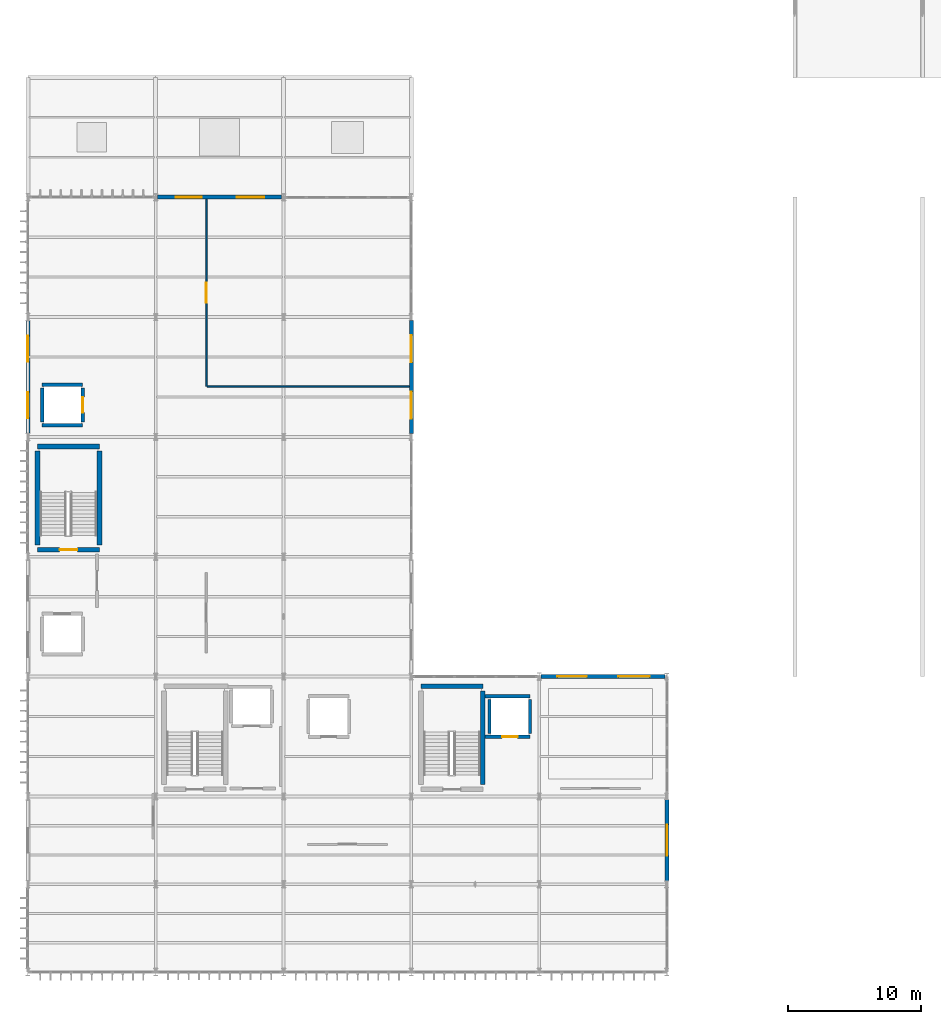
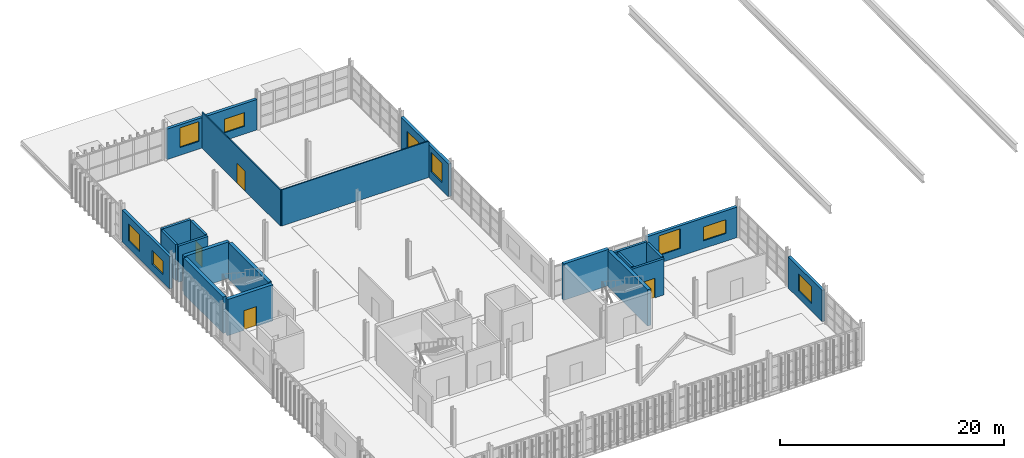
# One storey, part 32 of 52: 21 walls, 9 windows, 4 doors, 13 openings.
"""IFC4 building model written with IfcOpenShell, lengths in metres."""

from ifc_helpers import new_model, si_unit, direction, frame, frame_2d, origin, place, context, subcontext, project, spatial, rectangle, extrude, material, layer, layer_set, type_object, element, fill, save


model = new_model("IFC4")

# Units and contexts
model_context = context("Model", 3, precision=1e-05, world=origin(), true_north=direction((0.0, 1.0)))
body_context = subcontext(model_context, "Body", "Model", "MODEL_VIEW")
ifc_project = project(units=[si_unit("LENGTHUNIT", "METRE"), si_unit("AREAUNIT", "SQUARE_METRE"), si_unit("VOLUMEUNIT", "CUBIC_METRE"), si_unit("PLANEANGLEUNIT", "RADIAN"), si_unit("MASSUNIT", "GRAM", prefix="KILO")], contexts=[model_context])

# Site, building, storey
site_placement = place(None, origin())
site = spatial("IfcSite", under=ifc_project, at=site_placement, CompositionType="ELEMENT")
building_placement = place(site_placement, origin())
building = spatial("IfcBuilding", under=site, at=building_placement, Name="Zarnetskaya Central Station", CompositionType="ELEMENT")
storey_placement = place(building_placement, frame((0.0, 0.0, 14.39990234375)))
storey = spatial("IfcBuildingStorey", under=building, at=storey_placement, Name="L03", CompositionType="ELEMENT", Elevation=14.39990234375)

# Wall, opening, door
ifc_material_1 = material(Name="Gypsum moisture partition")
ifc_layer_1 = layer(ifc_material_1, 0.114990234375, Name="Gypsum moisture partition")
ifc_layer_set_1 = layer_set([ifc_layer_1], Name="Gypsum moisture partition")
wall_type_1 = type_object("IfcWallType", Name="PART-WC-115", PredefinedType="PARTITIONING", material=ifc_layer_set_1)
wall_1_placement = place(storey_placement, frame((13.39990234375, 44.0, 0.0), z_axis=(0.0, 0.0, 1.0), x_axis=(0.0, 1.0, 0.0)))
wall_1 = element("IfcWall", 1, at=wall_1_placement, inside=storey, type_object=wall_type_1, Name="Interior partition IPRT-L03-0432", PredefinedType="PARTITIONING", context=body_context, shape_type="SweptSolid", body=[
    extrude(rectangle(XDim=14.050048828125, YDim=0.114990234375, at=frame_2d((7.02490234375, 0.0))), origin(), (0.0, 0.0, 1.0), 3.960205078125),
])
opening_1_placement = place(wall_1_placement, frame((6.27490234375, 0.0, 0.0)))
opening_1 = element("IfcOpeningElement", 2, at=opening_1_placement, cuts=wall_1, Name="Opening DR-15", PredefinedType="OPENING", context=body_context, shape_type="SweptSolid", body=[
    extrude(rectangle(XDim=1.5, YDim=2.199951171875, at=frame_2d((0.75, 1.10009765625))), frame((0.0, 0.0673828125, 0.0), z_axis=(0.0, -1.0, 0.0), x_axis=(1.0, 0.0, 0.0)), (0.0, 0.0, 1.0), 0.135009765625),
])
ifc_material_2 = material(Name="Anodised aluminium", Category="aluminium")
door_type_1 = type_object("IfcDoorType", Name="DR-INT-14", OperationType="NOTDEFINED", PredefinedType="DOOR", material=ifc_material_2)
door_1_placement = place(opening_1_placement, origin())
door_1 = element("IfcDoor", 3, at=door_1_placement, inside=storey, type_object=door_type_1, Name="Staff and Accessible WC and Shower Suite L03 door", OperationType="SINGLE_SWING_RIGHT", OverallHeight=2.199951171875, OverallWidth=1.5, PredefinedType="DOOR", context=body_context, shape_type="SweptSolid", body=[
    extrude(rectangle(XDim=1.5, YDim=2.199951171875, at=frame_2d((0.75, 1.10009765625))), frame((0.0, 0.02490234375, 0.0), z_axis=(0.0, -1.0, 0.0), x_axis=(1.0, 0.0, 0.0)), (0.0, 0.0, 1.0), 0.050048828125),
])
fill(opening_1, door_1)

# Wall
wall_2_placement = place(storey_placement, frame((28.64990234375, 44.0, 0.0), z_axis=(0.0, 0.0, 1.0), x_axis=(-1.0, 0.0, 0.0)))
element("IfcWall", 4, at=wall_2_placement, inside=storey, type_object=wall_type_1, Name="Interior partition IPRT-L03-0433", PredefinedType="PARTITIONING", context=body_context, shape_type="SweptSolid", body=[
    extrude(rectangle(XDim=15.1923828125, YDim=0.114990234375, at=frame_2d((7.59619140625, 0.0))), origin(), (0.0, 0.0, 1.0), 3.960205078125),
])

# Wall, opening, door
ifc_material_3 = material(Name="Concrete C35/45", Category="concrete")
ifc_layer_2 = layer(ifc_material_3, 0.35009765625, Name="Concrete C35/45", Category="concrete")
ifc_layer_set_2 = layer_set([ifc_layer_2], Name="Concrete C35/45")
wall_type_2 = type_object("IfcWallType", Name="WALL-CORE-350", PredefinedType="SHEAR", material=ifc_layer_set_2)
wall_3_placement = place(storey_placement, frame((5.375, 31.72509765625, 0.0), z_axis=(0.0, 0.0, 1.0), x_axis=(-1.0, 0.0, 0.0)))
wall_3 = element("IfcWall", 5, at=wall_3_placement, inside=storey, type_object=wall_type_2, Name="Core shear wall WSTR-L03-0233", PredefinedType="SHEAR", context=body_context, shape_type="SweptSolid", body=[
    extrude(rectangle(XDim=4.64990234375, YDim=0.35009765625, at=frame_2d((2.324951171875, 0.0))), origin(), (0.0, 0.0, 1.0), 3.960205078125),
])
opening_2_placement = place(wall_3_placement, frame((1.6650390625, 0.0, 0.0)))
opening_2 = element("IfcOpeningElement", 6, at=opening_2_placement, cuts=wall_3, Name="Opening DR-FD60", PredefinedType="OPENING", context=body_context, shape_type="SweptSolid", body=[
    extrude(rectangle(XDim=1.320068359375, YDim=2.14990234375, at=frame_2d((0.66015625, 1.074951171875))), frame((0.0, 0.18505859375, 0.0), z_axis=(0.0, -1.0, 0.0), x_axis=(1.0, 0.0, 0.0)), (0.0, 0.0, 1.0), 0.3701171875),
])
door_type_2 = type_object("IfcDoorType", Name="DR-FIRE-STAIR", OperationType="NOTDEFINED", PredefinedType="DOOR", material=ifc_material_2)
door_2_placement = place(opening_2_placement, origin())
door_2 = element("IfcDoor", 7, at=door_2_placement, inside=storey, type_object=door_type_2, Name="Protected exit stair door ST-C2 L03", OperationType="SINGLE_SWING_RIGHT", OverallHeight=2.14990234375, OverallWidth=1.320068359375, PredefinedType="DOOR", context=body_context, shape_type="SweptSolid", body=[
    extrude(rectangle(XDim=1.320068359375, YDim=2.14990234375, at=frame_2d((0.66015625, 1.074951171875))), frame((0.0, 0.02490234375, 0.0), z_axis=(0.0, -1.0, 0.0), x_axis=(1.0, 0.0, 0.0)), (0.0, 0.0, 1.0), 0.050048828125),
])
fill(opening_2, door_2)

# Walls
wall_4_placement = place(storey_placement, frame((0.72509765625, 39.47509765625, 0.0), z_axis=(0.0, 0.0, 1.0), x_axis=(1.0, 0.0, 0.0)))
element("IfcWall", 8, at=wall_4_placement, inside=storey, type_object=wall_type_2, Name="Core shear wall WSTR-L03-0234", PredefinedType="SHEAR", context=body_context, shape_type="SweptSolid", body=[
    extrude(rectangle(XDim=4.64990234375, YDim=0.35009765625, at=frame_2d((2.324951171875, 0.0))), origin(), (0.0, 0.0, 1.0), 3.960205078125),
])
for number, where, z_axis, x_axis, name in (
    (9, (0.72509765625, 32.074951171875, 0.0), (0.0, 0.0, 1.0), (0.0, 1.0, 0.0), "Core shear wall WSTR-L03-0235"),
    (10, (5.375, 39.125, 0.0), (0.0, 0.0, 1.0), (0.0, -1.0, 0.0), "Core shear wall WSTR-L03-0236"),
):
    element("IfcWall", number, at=place(storey_placement, frame(where, z_axis=z_axis, x_axis=x_axis)), inside=storey, type_object=wall_type_2, Name=name, PredefinedType="SHEAR", context=body_context, shape_type="SweptSolid", body=[
        extrude(rectangle(XDim=7.050048828125, YDim=0.35009765625, at=frame_2d((3.52490234375, 0.0))), origin(), (0.0, 0.0, 1.0), 3.960205078125),
    ])
wall_5_placement = place(storey_placement, frame((29.52490234375, 21.47509765625, 0.0), z_axis=(0.0, 0.0, 1.0), x_axis=(1.0, 0.0, 0.0)))
element("IfcWall", 11, at=wall_5_placement, inside=storey, type_object=wall_type_2, Name="Core shear wall WSTR-L03-0262", PredefinedType="SHEAR", context=body_context, shape_type="SweptSolid", body=[
    extrude(rectangle(XDim=4.650146484375, YDim=0.35009765625, at=frame_2d((2.3251953125, 0.0))), origin(), (0.0, 0.0, 1.0), 3.960205078125),
])
wall_6_placement = place(storey_placement, frame((34.175048828125, 21.125, 0.0), z_axis=(0.0, 0.0, 1.0), x_axis=(0.0, -1.0, 0.0)))
element("IfcWall", 12, at=wall_6_placement, inside=storey, type_object=wall_type_2, Name="Core shear wall WSTR-L03-0264", PredefinedType="SHEAR", context=body_context, shape_type="SweptSolid", body=[
    extrude(rectangle(XDim=7.050048828125, YDim=0.35009765625, at=frame_2d((3.52490234375, 0.0))), origin(), (0.0, 0.0, 1.0), 3.960205078125),
])

# Wall, openings, windows
ifc_material_4 = material(Name="Precast concrete C40/50", Category="concrete")
ifc_layer_3 = layer(ifc_material_4, 0.300048828125, Name="Precast concrete C40/50", Category="concrete")
ifc_layer_set_3 = layer_set([ifc_layer_3], Name="Precast concrete C40/50")
wall_type_3 = type_object("IfcWallType", Name="WALL-EXT-300", PredefinedType="SOLIDWALL", material=ifc_layer_set_3)
wall_7_placement = place(storey_placement, frame((0.0, 40.47509765625, 0.0), z_axis=(0.0, 0.0, 1.0), x_axis=(0.0, 1.0, 0.0)))
wall_7 = element("IfcWall", 13, at=wall_7_placement, inside=storey, type_object=wall_type_3, Name="Exterior precast wall EW-L03-0-405-0-489", PredefinedType="SOLIDWALL", context=body_context, shape_type="SweptSolid", body=[
    extrude(rectangle(XDim=8.449951171875, YDim=0.300048828125, at=frame_2d((4.22509765625, 0.0))), origin(), (0.0, 0.0, 1.0), 3.530029296875),
])
opening_3_placement = place(wall_7_placement, frame((1.137451171875, 0.0, 0.85009765625)))
opening_3 = element("IfcOpeningElement", 14, at=opening_3_placement, cuts=wall_7, Name="Opening WN-07", PredefinedType="OPENING", context=body_context, shape_type="SweptSolid", body=[
    extrude(rectangle(XDim=1.949951171875, YDim=1.5, at=frame_2d((0.97509765625, 0.75))), frame((0.0, 0.16015625, 0.0), z_axis=(0.0, -1.0, 0.0), x_axis=(1.0, 0.0, 0.0)), (0.0, 0.0, 1.0), 0.320068359375),
])
opening_4_placement = place(wall_7_placement, frame((5.362548828125, 0.0, 0.85009765625)))
opening_4 = element("IfcOpeningElement", 15, at=opening_4_placement, cuts=wall_7, Name="Opening WN-48", PredefinedType="OPENING", context=body_context, shape_type="SweptSolid", body=[
    extrude(rectangle(XDim=1.949951171875, YDim=1.85009765625, at=frame_2d((0.97509765625, 0.925048828125))), frame((0.0, 0.16015625, 0.0), z_axis=(0.0, -1.0, 0.0), x_axis=(1.0, 0.0, 0.0)), (0.0, 0.0, 1.0), 0.320068359375),
])
ifc_material_5 = material(Name="Low-E insulated glass", Category="glass")
window_type_1 = type_object("IfcWindowType", Name="WIN-25", PartitioningType="DOUBLE_PANEL_VERTICAL", PredefinedType="WINDOW", material=ifc_material_5)
window_1_placement = place(opening_3_placement, origin())
window_1 = element("IfcWindow", 16, at=window_1_placement, inside=storey, type_object=window_type_1, Name="Facade window L03-0079", OverallHeight=1.5, OverallWidth=1.949951171875, PartitioningType="SINGLE_PANEL", PredefinedType="WINDOW", context=body_context, shape_type="SweptSolid", body=[
    extrude(rectangle(XDim=1.949951171875, YDim=1.5, at=frame_2d((0.97509765625, 0.75))), frame((0.0, 0.030029296875, 0.0), z_axis=(0.0, -1.0, 0.0), x_axis=(1.0, 0.0, 0.0)), (0.0, 0.0, 1.0), 0.06005859375),
])
fill(opening_3, window_1)
window_type_2 = type_object("IfcWindowType", Name="WIN-26", PartitioningType="DOUBLE_PANEL_VERTICAL", PredefinedType="WINDOW", material=ifc_material_5)
window_2_placement = place(opening_4_placement, origin())
window_2 = element("IfcWindow", 17, at=window_2_placement, inside=storey, type_object=window_type_2, Name="Facade window L03-0080", OverallHeight=1.85009765625, OverallWidth=1.949951171875, PartitioningType="SINGLE_PANEL", PredefinedType="WINDOW", context=body_context, shape_type="SweptSolid", body=[
    extrude(rectangle(XDim=1.949951171875, YDim=1.85009765625, at=frame_2d((0.97509765625, 0.925048828125))), frame((0.0, 0.030029296875, 0.0), z_axis=(0.0, -1.0, 0.0), x_axis=(1.0, 0.0, 0.0)), (0.0, 0.0, 1.0), 0.06005859375),
])
fill(opening_4, window_2)

wall_8_placement = place(storey_placement, frame((9.75, 58.199951171875, 0.0), z_axis=(0.0, 0.0, 1.0), x_axis=(1.0, 0.0, 0.0)))
wall_8 = element("IfcWall", 18, at=wall_8_placement, inside=storey, type_object=wall_type_3, Name="Exterior precast wall EW-L03-98-582-190-582", PredefinedType="SOLIDWALL", context=body_context, shape_type="SweptSolid", body=[
    extrude(rectangle(XDim=9.300048828125, YDim=0.300048828125, at=frame_2d((4.64990234375, 0.0))), origin(), (0.0, 0.0, 1.0), 3.330078125),
])
opening_5_placement = place(wall_8_placement, frame((1.35009765625, 0.0, 0.85009765625)))
opening_5 = element("IfcOpeningElement", 19, at=opening_5_placement, cuts=wall_8, Name="Opening WN-11", PredefinedType="OPENING", context=body_context, shape_type="SweptSolid", body=[
    extrude(rectangle(XDim=1.949951171875, YDim=2.14990234375, at=frame_2d((0.97509765625, 1.074951171875))), frame((0.0, 0.16015625, 0.0), z_axis=(0.0, -1.0, 0.0), x_axis=(1.0, 0.0, 0.0)), (0.0, 0.0, 1.0), 0.320068359375),
])
opening_6_placement = place(wall_8_placement, frame((5.949951171875, 0.0, 0.85009765625)))
opening_6 = element("IfcOpeningElement", 20, at=opening_6_placement, cuts=wall_8, Name="Opening WN-28", PredefinedType="OPENING", context=body_context, shape_type="SweptSolid", body=[
    extrude(rectangle(XDim=2.050048828125, YDim=1.5, at=frame_2d((1.02490234375, 0.75))), frame((0.0, 0.16015625, 0.0), z_axis=(0.0, -1.0, 0.0), x_axis=(1.0, 0.0, 0.0)), (0.0, 0.0, 1.0), 0.320068359375),
])
window_type_3 = type_object("IfcWindowType", Name="WIN-27", PartitioningType="DOUBLE_PANEL_VERTICAL", PredefinedType="WINDOW", material=ifc_material_5)
window_3_placement = place(opening_5_placement, origin())
window_3 = element("IfcWindow", 21, at=window_3_placement, inside=storey, type_object=window_type_3, Name="Facade window L03-0081", OverallHeight=2.14990234375, OverallWidth=1.949951171875, PartitioningType="SINGLE_PANEL", PredefinedType="WINDOW", context=body_context, shape_type="SweptSolid", body=[
    extrude(rectangle(XDim=1.949951171875, YDim=2.14990234375, at=frame_2d((0.97509765625, 1.074951171875))), frame((0.0, 0.030029296875, 0.0), z_axis=(0.0, -1.0, 0.0), x_axis=(1.0, 0.0, 0.0)), (0.0, 0.0, 1.0), 0.06005859375),
])
fill(opening_5, window_3)
window_type_4 = type_object("IfcWindowType", Name="WIN-28", PartitioningType="DOUBLE_PANEL_VERTICAL", PredefinedType="WINDOW", material=ifc_material_5)
window_4_placement = place(opening_6_placement, origin())
window_4 = element("IfcWindow", 22, at=window_4_placement, inside=storey, type_object=window_type_4, Name="Facade window L03-0082", OverallHeight=1.5, OverallWidth=2.050048828125, PartitioningType="SINGLE_PANEL", PredefinedType="WINDOW", context=body_context, shape_type="SweptSolid", body=[
    extrude(rectangle(XDim=2.050048828125, YDim=1.5, at=frame_2d((1.02490234375, 0.75))), frame((0.0, 0.030029296875, 0.0), z_axis=(0.0, -1.0, 0.0), x_axis=(1.0, 0.0, 0.0)), (0.0, 0.0, 1.0), 0.06005859375),
])
fill(opening_6, window_4)

wall_9_placement = place(storey_placement, frame((28.800048828125, 48.949951171875, 0.0), z_axis=(0.0, 0.0, 1.0), x_axis=(0.0, -1.0, 0.0)))
wall_9 = element("IfcWall", 23, at=wall_9_placement, inside=storey, type_object=wall_type_3, Name="Exterior precast wall EW-L03-288-490-288-404", PredefinedType="SOLIDWALL", context=body_context, shape_type="SweptSolid", body=[
    extrude(rectangle(XDim=8.5, YDim=0.300048828125, at=frame_2d((4.25, 0.0))), origin(), (0.0, 0.0, 1.0), 3.570068359375),
])
opening_7_placement = place(wall_9_placement, frame((1.10009765625, 0.0, 0.85009765625)))
opening_7 = element("IfcOpeningElement", 24, at=opening_7_placement, cuts=wall_9, Name="Opening WN-37", PredefinedType="OPENING", context=body_context, shape_type="SweptSolid", body=[
    extrude(rectangle(XDim=2.050048828125, YDim=1.85009765625, at=frame_2d((1.02490234375, 0.925048828125))), frame((0.0, 0.16015625, 0.0), z_axis=(0.0, -1.0, 0.0), x_axis=(1.0, 0.0, 0.0)), (0.0, 0.0, 1.0), 0.320068359375),
])
opening_8_placement = place(wall_9_placement, frame((5.35009765625, 0.0, 0.85009765625)))
opening_8 = element("IfcOpeningElement", 25, at=opening_8_placement, cuts=wall_9, Name="Opening WN-20", PredefinedType="OPENING", context=body_context, shape_type="SweptSolid", body=[
    extrude(rectangle(XDim=2.050048828125, YDim=2.14990234375, at=frame_2d((1.02490234375, 1.074951171875))), frame((0.0, 0.16015625, 0.0), z_axis=(0.0, -1.0, 0.0), x_axis=(1.0, 0.0, 0.0)), (0.0, 0.0, 1.0), 0.320068359375),
])
window_type_5 = type_object("IfcWindowType", Name="WIN-29", PartitioningType="DOUBLE_PANEL_VERTICAL", PredefinedType="WINDOW", material=ifc_material_5)
window_5_placement = place(opening_7_placement, origin())
window_5 = element("IfcWindow", 26, at=window_5_placement, inside=storey, type_object=window_type_5, Name="Facade window L03-0083", OverallHeight=1.85009765625, OverallWidth=2.050048828125, PartitioningType="SINGLE_PANEL", PredefinedType="WINDOW", context=body_context, shape_type="SweptSolid", body=[
    extrude(rectangle(XDim=2.050048828125, YDim=1.85009765625, at=frame_2d((1.02490234375, 0.925048828125))), frame((0.0, 0.030029296875, 0.0), z_axis=(0.0, -1.0, 0.0), x_axis=(1.0, 0.0, 0.0)), (0.0, 0.0, 1.0), 0.06005859375),
])
fill(opening_7, window_5)
window_type_6 = type_object("IfcWindowType", Name="WIN-30", PartitioningType="DOUBLE_PANEL_VERTICAL", PredefinedType="WINDOW", material=ifc_material_5)
window_6_placement = place(opening_8_placement, origin())
window_6 = element("IfcWindow", 27, at=window_6_placement, inside=storey, type_object=window_type_6, Name="Facade window L03-0084", OverallHeight=2.14990234375, OverallWidth=2.050048828125, PartitioningType="SINGLE_PANEL", PredefinedType="WINDOW", context=body_context, shape_type="SweptSolid", body=[
    extrude(rectangle(XDim=2.050048828125, YDim=2.14990234375, at=frame_2d((1.02490234375, 1.074951171875))), frame((0.0, 0.030029296875, 0.0), z_axis=(0.0, -1.0, 0.0), x_axis=(1.0, 0.0, 0.0)), (0.0, 0.0, 1.0), 0.06005859375),
])
fill(opening_8, window_6)

wall_10_placement = place(storey_placement, frame((38.550048828125, 22.199951171875, 0.0), z_axis=(0.0, 0.0, 1.0), x_axis=(1.0, 0.0, 0.0)))
wall_10 = element("IfcWall", 28, at=wall_10_placement, inside=storey, type_object=wall_type_3, Name="Exterior precast wall EW-L03-386-222-478-222", PredefinedType="SOLIDWALL", context=body_context, shape_type="SweptSolid", body=[
    extrude(rectangle(XDim=9.300048828125, YDim=0.300048828125, at=frame_2d((4.64990234375, 0.0))), origin(), (0.0, 0.0, 1.0), 3.330078125),
])
opening_9_placement = place(wall_10_placement, frame((1.22509765625, 0.0, 0.85009765625)))
opening_9 = element("IfcOpeningElement", 29, at=opening_9_placement, cuts=wall_10, Name="Opening WN-12", PredefinedType="OPENING", context=body_context, shape_type="SweptSolid", body=[
    extrude(rectangle(XDim=2.199951171875, YDim=2.14990234375, at=frame_2d((1.10009765625, 1.074951171875))), frame((0.0, 0.16015625, 0.0), z_axis=(0.0, -1.0, 0.0), x_axis=(1.0, 0.0, 0.0)), (0.0, 0.0, 1.0), 0.320068359375),
])
opening_10_placement = place(wall_10_placement, frame((5.800048828125, 0.0, 0.85009765625)))
opening_10 = element("IfcOpeningElement", 30, at=opening_10_placement, cuts=wall_10, Name="Opening WN-47", PredefinedType="OPENING", context=body_context, shape_type="SweptSolid", body=[
    extrude(rectangle(XDim=2.35009765625, YDim=1.5, at=frame_2d((1.175048828125, 0.75))), frame((0.0, 0.16015625, 0.0), z_axis=(0.0, -1.0, 0.0), x_axis=(1.0, 0.0, 0.0)), (0.0, 0.0, 1.0), 0.320068359375),
])
window_type_7 = type_object("IfcWindowType", Name="WIN-33", PartitioningType="DOUBLE_PANEL_VERTICAL", PredefinedType="WINDOW", material=ifc_material_5)
window_7_placement = place(opening_9_placement, origin())
window_7 = element("IfcWindow", 31, at=window_7_placement, inside=storey, type_object=window_type_7, Name="Facade window L03-0087", OverallHeight=2.14990234375, OverallWidth=2.199951171875, PartitioningType="SINGLE_PANEL", PredefinedType="WINDOW", context=body_context, shape_type="SweptSolid", body=[
    extrude(rectangle(XDim=2.199951171875, YDim=2.14990234375, at=frame_2d((1.10009765625, 1.074951171875))), frame((0.0, 0.030029296875, 0.0), z_axis=(0.0, -1.0, 0.0), x_axis=(1.0, 0.0, 0.0)), (0.0, 0.0, 1.0), 0.06005859375),
])
fill(opening_9, window_7)
window_type_8 = type_object("IfcWindowType", Name="WIN-34", PartitioningType="DOUBLE_PANEL_VERTICAL", PredefinedType="WINDOW", material=ifc_material_5)
window_8_placement = place(opening_10_placement, origin())
window_8 = element("IfcWindow", 32, at=window_8_placement, inside=storey, type_object=window_type_8, Name="Facade window L03-0088", OverallHeight=1.5, OverallWidth=2.35009765625, PartitioningType="SINGLE_PANEL", PredefinedType="WINDOW", context=body_context, shape_type="SweptSolid", body=[
    extrude(rectangle(XDim=2.35009765625, YDim=1.5, at=frame_2d((1.175048828125, 0.75))), frame((0.0, 0.030029296875, 0.0), z_axis=(0.0, -1.0, 0.0), x_axis=(1.0, 0.0, 0.0)), (0.0, 0.0, 1.0), 0.06005859375),
])
fill(opening_10, window_8)

# Wall, opening, window
wall_11_placement = place(storey_placement, frame((48.0, 12.949951171875, 0.0), z_axis=(0.0, 0.0, 1.0), x_axis=(0.0, -1.0, 0.0)))
wall_11 = element("IfcWall", 33, at=wall_11_placement, inside=storey, type_object=wall_type_3, Name="Exterior precast wall EW-L03-480-130-480-68", PredefinedType="SOLIDWALL", context=body_context, shape_type="SweptSolid", body=[
    extrude(rectangle(XDim=6.099853515625, YDim=0.300048828125, at=frame_2d((3.0498046875, 0.0))), origin(), (0.0, 0.0, 1.0), 3.43017578125),
])
opening_11_placement = place(wall_11_placement, frame((1.875, 0.0, 0.85009765625)))
opening_11 = element("IfcOpeningElement", 34, at=opening_11_placement, cuts=wall_11, Name="Opening WN-31", PredefinedType="OPENING", context=body_context, shape_type="SweptSolid", body=[
    extrude(rectangle(XDim=2.35009765625, YDim=1.85009765625, at=frame_2d((1.175048828125, 0.925048828125))), frame((0.0, 0.16015625, 0.0), z_axis=(0.0, -1.0, 0.0), x_axis=(1.0, 0.0, 0.0)), (0.0, 0.0, 1.0), 0.320068359375),
])
window_type_9 = type_object("IfcWindowType", Name="WIN-35", PartitioningType="DOUBLE_PANEL_VERTICAL", PredefinedType="WINDOW", material=ifc_material_5)
window_9_placement = place(opening_11_placement, origin())
window_9 = element("IfcWindow", 35, at=window_9_placement, inside=storey, type_object=window_type_9, Name="Facade window L03-0089", OverallHeight=1.85009765625, OverallWidth=2.35009765625, PartitioningType="SINGLE_PANEL", PredefinedType="WINDOW", context=body_context, shape_type="SweptSolid", body=[
    extrude(rectangle(XDim=2.35009765625, YDim=1.85009765625, at=frame_2d((1.175048828125, 0.925048828125))), frame((0.0, 0.030029296875, 0.0), z_axis=(0.0, -1.0, 0.0), x_axis=(1.0, 0.0, 0.0)), (0.0, 0.0, 1.0), 0.06005859375),
])
fill(opening_11, window_9)

# Walls
ifc_layer_4 = layer(ifc_material_3, 0.239990234375, Name="Concrete C35/45", Category="concrete")
ifc_layer_set_4 = layer_set([ifc_layer_4], Name="Concrete C35/45")
wall_type_4 = type_object("IfcWallType", Name="WALL-SHFT-240", PredefinedType="SHEAR", material=ifc_layer_set_4)
for number, where, z_axis, x_axis, name in (
    (36, (4.1201171875, 41.080078125, 0.0), (0.0, 0.0, 1.0), (-1.0, 0.0, 0.0), "Core shear wall WSHF-L03-0101"),
    (37, (1.080078125, 44.1201171875, 0.0), (0.0, 0.0, 1.0), (1.0, 0.0, 0.0), "Core shear wall WSHF-L03-0102"),
):
    element("IfcWall", number, at=place(storey_placement, frame(where, z_axis=z_axis, x_axis=x_axis)), inside=storey, type_object=wall_type_4, Name=name, PredefinedType="SHEAR", context=body_context, shape_type="SweptSolid", body=[
        extrude(rectangle(XDim=3.0400390625, YDim=0.239990234375, at=frame_2d((1.52001953125, 0.0))), origin(), (0.0, 0.0, 1.0), 3.960205078125),
    ])
wall_12_placement = place(storey_placement, frame((1.080078125, 41.320068359375, 0.0), z_axis=(0.0, 0.0, 1.0), x_axis=(0.0, 1.0, 0.0)))
element("IfcWall", 38, at=wall_12_placement, inside=storey, type_object=wall_type_4, Name="Core shear wall WSHF-L03-0103", PredefinedType="SHEAR", context=body_context, shape_type="SweptSolid", body=[
    extrude(rectangle(XDim=2.559814453125, YDim=0.239990234375, at=frame_2d((1.27978515625, 0.0))), origin(), (0.0, 0.0, 1.0), 3.960205078125),
])

# Wall, opening, door
wall_13_placement = place(storey_placement, frame((4.1201171875, 43.8798828125, 0.0), z_axis=(0.0, 0.0, 1.0), x_axis=(0.0, -1.0, 0.0)))
wall_13 = element("IfcWall", 39, at=wall_13_placement, inside=storey, type_object=wall_type_4, Name="Core shear wall WSHF-L03-0104", PredefinedType="SHEAR", context=body_context, shape_type="SweptSolid", body=[
    extrude(rectangle(XDim=2.559814453125, YDim=0.239990234375, at=frame_2d((1.27978515625, 0.0))), origin(), (0.0, 0.0, 1.0), 3.960205078125),
])
opening_12_placement = place(wall_13_placement, frame((0.699951171875, 0.0, 0.0)))
opening_12 = element("IfcOpeningElement", 40, at=opening_12_placement, cuts=wall_13, Name="Opening DR-24", PredefinedType="OPENING", context=body_context, shape_type="SweptSolid", body=[
    extrude(rectangle(XDim=1.159912109375, YDim=2.14990234375, at=frame_2d((0.580078125, 1.074951171875))), frame((0.0, 0.1298828125, 0.0), z_axis=(0.0, -1.0, 0.0), x_axis=(1.0, 0.0, 0.0)), (0.0, 0.0, 1.0), 0.260009765625),
])
door_type_3 = type_object("IfcDoorType", Name="DR-LIFT-PAX", OperationType="NOTDEFINED", PredefinedType="DOOR", material=ifc_material_2)
door_3_placement = place(opening_12_placement, origin())
door_3 = element("IfcDoor", 41, at=door_3_placement, inside=storey, type_object=door_type_3, Name="Lift landing sliding door LP-02 L03", OperationType="DOUBLE_DOOR_SLIDING", OverallHeight=2.14990234375, OverallWidth=1.159912109375, PredefinedType="DOOR", context=body_context, shape_type="SweptSolid", body=[
    extrude(rectangle(XDim=1.159912109375, YDim=2.14990234375, at=frame_2d((0.580078125, 1.074951171875))), frame((0.0, 0.02490234375, 0.0), z_axis=(0.0, -1.0, 0.0), x_axis=(1.0, 0.0, 0.0)), (0.0, 0.0, 1.0), 0.050048828125),
])
fill(opening_12, door_3)

wall_14_placement = place(storey_placement, frame((37.719970703125, 17.679931640625, 0.0), z_axis=(0.0, 0.0, 1.0), x_axis=(-1.0, 0.0, 0.0)))
wall_14 = element("IfcWall", 42, at=wall_14_placement, inside=storey, type_object=wall_type_4, Name="Core shear wall WSHF-L03-0129", PredefinedType="SHEAR", context=body_context, shape_type="SweptSolid", body=[
    extrude(rectangle(XDim=3.369873046875, YDim=0.239990234375, at=frame_2d((1.68505859375, 0.0))), origin(), (0.0, 0.0, 1.0), 3.960205078125),
])
opening_13_placement = place(wall_14_placement, frame((0.93994140625, 0.0, 0.0)))
opening_13 = element("IfcOpeningElement", 43, at=opening_13_placement, cuts=wall_14, Name="Opening DR-24", PredefinedType="OPENING", context=body_context, shape_type="SweptSolid", body=[
    extrude(rectangle(XDim=1.159912109375, YDim=2.14990234375, at=frame_2d((0.580078125, 1.074951171875))), frame((0.0, 0.1298828125, 0.0), z_axis=(0.0, -1.0, 0.0), x_axis=(1.0, 0.0, 0.0)), (0.0, 0.0, 1.0), 0.260009765625),
])
door_4_placement = place(opening_13_placement, origin())
door_4 = element("IfcDoor", 44, at=door_4_placement, inside=storey, type_object=door_type_3, Name="Lift landing sliding door LP-03 L03", OperationType="DOUBLE_DOOR_SLIDING", OverallHeight=2.14990234375, OverallWidth=1.159912109375, PredefinedType="DOOR", context=body_context, shape_type="SweptSolid", body=[
    extrude(rectangle(XDim=1.159912109375, YDim=2.14990234375, at=frame_2d((0.580078125, 1.074951171875))), frame((0.0, 0.02490234375, 0.0), z_axis=(0.0, -1.0, 0.0), x_axis=(1.0, 0.0, 0.0)), (0.0, 0.0, 1.0), 0.050048828125),
])
fill(opening_13, door_4)

# Walls
wall_15_placement = place(storey_placement, frame((34.35009765625, 20.719970703125, 0.0), z_axis=(0.0, 0.0, 1.0), x_axis=(1.0, 0.0, 0.0)))
element("IfcWall", 45, at=wall_15_placement, inside=storey, type_object=wall_type_4, Name="Core shear wall WSHF-L03-0130", PredefinedType="SHEAR", context=body_context, shape_type="SweptSolid", body=[
    extrude(rectangle(XDim=3.369873046875, YDim=0.239990234375, at=frame_2d((1.68505859375, 0.0))), origin(), (0.0, 0.0, 1.0), 3.960205078125),
])
for number, where, z_axis, x_axis, name in (
    (46, (34.679931640625, 17.919921875, 0.0), (0.0, 0.0, 1.0), (0.0, 1.0, 0.0), "Core shear wall WSHF-L03-0131"),
    (47, (37.719970703125, 20.47998046875, 0.0), (0.0, 0.0, 1.0), (0.0, -1.0, 0.0), "Core shear wall WSHF-L03-0132"),
):
    element("IfcWall", number, at=place(storey_placement, frame(where, z_axis=z_axis, x_axis=x_axis)), inside=storey, type_object=wall_type_4, Name=name, PredefinedType="SHEAR", context=body_context, shape_type="SweptSolid", body=[
        extrude(rectangle(XDim=2.56005859375, YDim=0.239990234375, at=frame_2d((1.280029296875, 0.0))), origin(), (0.0, 0.0, 1.0), 3.960205078125),
    ])

save(model, "model.ifc")
